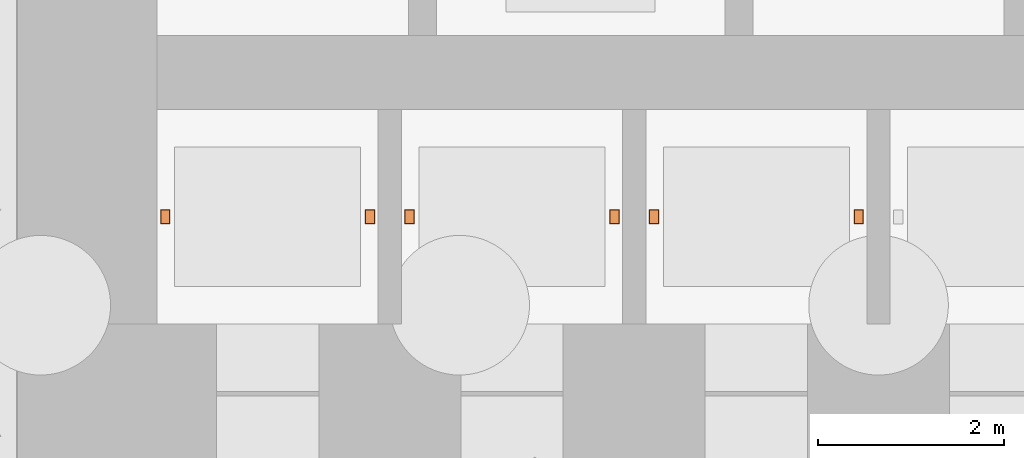
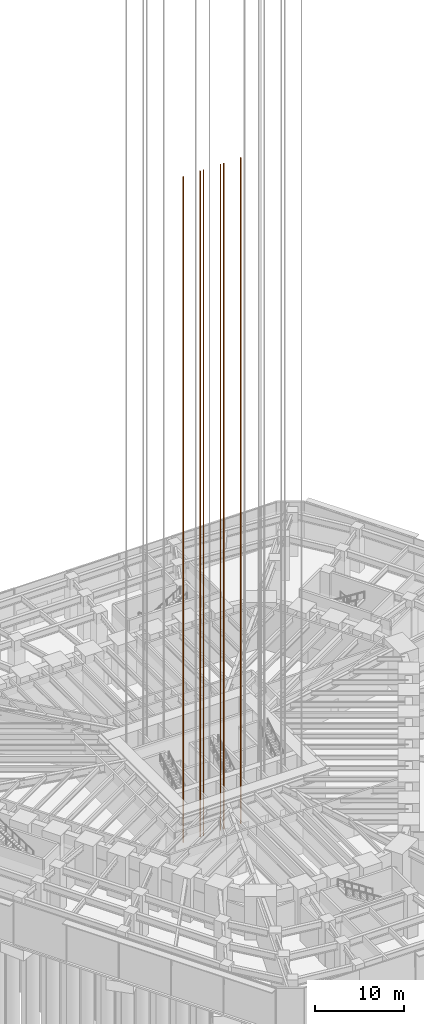
# One storey, part 30 of 34: 3 proxies.
"""IFC4 building model written with IfcOpenShell, lengths in metres."""

from ifc_helpers import new_model, si_unit, direction, frame, origin, origin_2d, place, context, subcontext, project, spatial, rectangle, extrude, material, type_object, element, save


model = new_model("IFC4")

# Units and contexts
model_context = context("Model", 3, precision=1e-05, world=origin(), true_north=direction((0.0, 1.0)))
body_context = subcontext(model_context, "Body", "Model", "MODEL_VIEW")
ifc_project = project(units=[si_unit("LENGTHUNIT", "METRE"), si_unit("AREAUNIT", "SQUARE_METRE"), si_unit("VOLUMEUNIT", "CUBIC_METRE"), si_unit("PLANEANGLEUNIT", "RADIAN"), si_unit("MASSUNIT", "GRAM", prefix="KILO")], contexts=[model_context])

# Site, building, storey
site_placement = place(None, origin())
site = spatial("IfcSite", under=ifc_project, at=site_placement, CompositionType="ELEMENT")
building_placement = place(site_placement, origin())
building = spatial("IfcBuilding", under=site, at=building_placement, Name="Sandreach Pilgrim Tower", CompositionType="ELEMENT")
storey_placement = place(building_placement, origin())
storey = spatial("IfcBuildingStorey", under=building, at=storey_placement, Name="L00", CompositionType="ELEMENT", Elevation=0.0)

# Proxies
ifc_material = material(Name="Steel guide rail", Category="steel")
building_element_proxy_type = type_object("IfcBuildingElementProxyType", Name="Lift guide rails", PredefinedType="NOTDEFINED", material=ifc_material)
for number, where, z_axis, x_axis, name in (
    (1, (-6.5625, -8.050048828125, 0.0), (0.0, 0.0, 1.0), (1.0, 0.0, 0.0), "Guide rails Z1A"),
    (2, (-3.9375, -8.050048828125, 0.0), (0.0, 0.0, 1.0), (1.0, 0.0, 0.0), "Guide rails Z1B"),
    (3, (-1.3125, -8.050048828125, 0.0), (0.0, 0.0, 1.0), (1.0, 0.0, 0.0), "Guide rails Z1C"),
):
    element("IfcBuildingElementProxy", number, at=place(storey_placement, frame(where, z_axis=z_axis, x_axis=x_axis)), inside=storey, type_object=building_element_proxy_type, Name=name, PredefinedType="NOTDEFINED", context=body_context, shape_type="SweptSolid", body=[
        extrude(rectangle(XDim=0.10009765625, YDim=0.14990234375, at=origin_2d()), frame((-1.10009765625, 0.0, 0.0)), (0.0, 0.0, 1.0), 91.199951171875),
        extrude(rectangle(XDim=0.10009765625, YDim=0.14990234375, at=origin_2d()), frame((1.10009765625, 0.0, 0.0)), (0.0, 0.0, 1.0), 91.199951171875),
    ])

save(model, "model.ifc")
